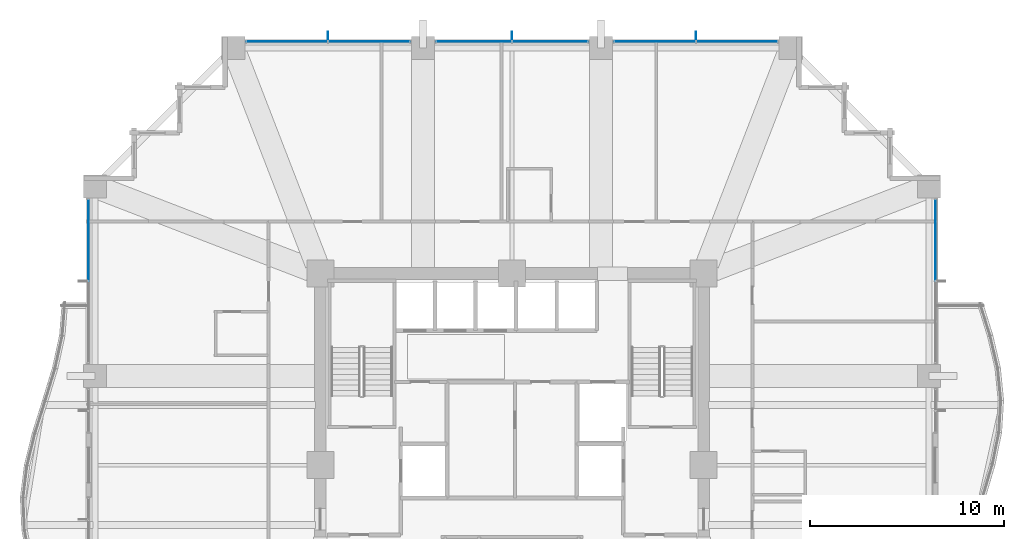
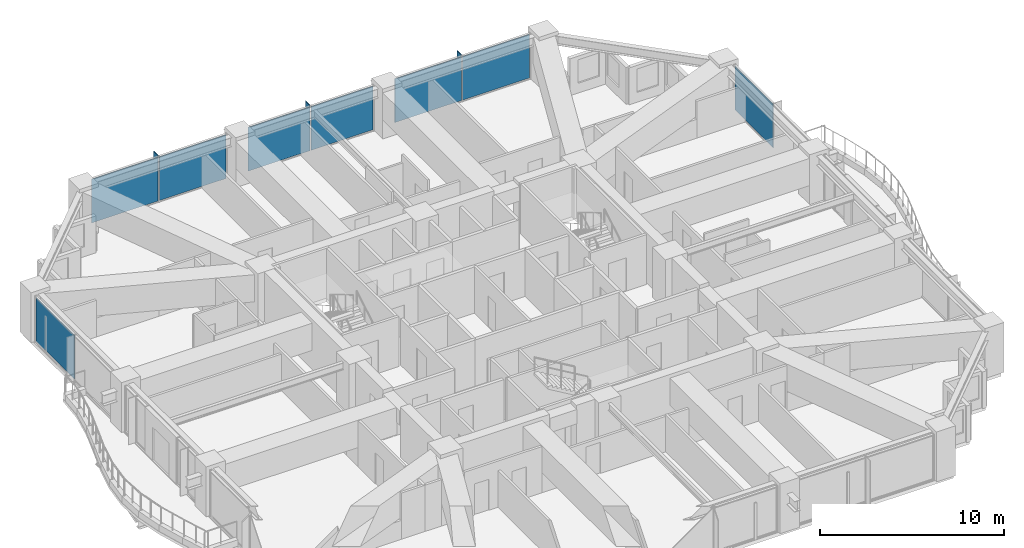
# One storey, part 32 of 39: 11 plates, 5 elements without a shape of their own.
"""IFC4 building model written with IfcOpenShell, lengths in metres."""

from ifc_helpers import new_model, si_unit, direction, frame, origin, origin_2d, place, context, subcontext, project, spatial, rectangle, extrude, material, layer, layer_set, type_object, element, aggregate, save


model = new_model("IFC4")

# Units and contexts
model_context = context("Model", 3, precision=1e-05, world=origin(), true_north=direction((0.0, 1.0)))
body_context = subcontext(model_context, "Body", "Model", "MODEL_VIEW")
ifc_project = project(units=[si_unit("LENGTHUNIT", "METRE"), si_unit("AREAUNIT", "SQUARE_METRE"), si_unit("VOLUMEUNIT", "CUBIC_METRE"), si_unit("PLANEANGLEUNIT", "RADIAN"), si_unit("MASSUNIT", "GRAM", prefix="KILO")], contexts=[model_context])

# Site, building, storey
site_placement = place(None, origin())
site = spatial("IfcSite", under=ifc_project, at=site_placement, CompositionType="ELEMENT")
building_placement = place(site_placement, origin())
building = spatial("IfcBuilding", under=site, at=building_placement, Name="Kolvaren Belvedere", CompositionType="ELEMENT")
storey_placement = place(building_placement, frame((0.0, 0.0, 40.300048828125)))
storey = spatial("IfcBuildingStorey", under=building, at=storey_placement, Name="L11", CompositionType="ELEMENT", Elevation=40.300048828125)

# Curtain wall, plate
ifc_material_1 = material(Name="Anodised pale-metal aluminium AA 6063-T6", Category="aluminium")
curtain_wall_type = type_object("IfcCurtainWallType", Name="CW-Z1-LOW", PredefinedType="NOTDEFINED", material=ifc_material_1)
curtain_wall_1_placement = place(storey_placement, origin())
curtain_wall_1 = element("IfcCurtainWall", 1, at=curtain_wall_1_placement, inside=storey, type_object=curtain_wall_type, Name="L11 Unitised Curtain Wall FCW-L11-E1-B1", PredefinedType="NOTDEFINED")
ifc_material_2 = material(Name="Low-iron triple insulated glass", Category="glass")
ifc_layer_1 = layer(ifc_material_2, 0.028076171875)
ifc_layer_set_1 = layer_set([ifc_layer_1], Name="Low-iron triple insulated glass")
plate_type_1 = type_object("IfcPlateType", Name="CW-PNL-VIS28", PredefinedType="CURTAIN_PANEL", material=ifc_layer_set_1)
plate_1_placement = place(storey_placement, frame((21.8798828125, 11.62255859375, 0.080078125), z_axis=(0.0, 0.0, 1.0), x_axis=(0.0, -1.0, 0.0)))
plate_1 = element("IfcPlate", 2, at=plate_1_placement, type_object=plate_type_1, Name="FCW-L11-E1-B1 Vision Glazing Panel 1", PredefinedType="CURTAIN_PANEL", context=body_context, shape_type="SweptSolid", body=[
    extrude(rectangle(XDim=4.1650390625, YDim=0.028076171875, at=origin_2d()), origin(), (0.0, 0.0, 1.0), 2.89990234375),
])
aggregate(curtain_wall_1, [plate_1])

# Curtain wall, plates
curtain_wall_2_placement = place(storey_placement, origin())
curtain_wall_2 = element("IfcCurtainWall", 3, at=curtain_wall_2_placement, inside=storey, type_object=curtain_wall_type, Name="L11 Unitised Curtain Wall FCW-L11-N-B1", PredefinedType="NOTDEFINED")
plate_2_placement = place(storey_placement, frame((-11.62255859375, 21.8798828125, 0.080078125), z_axis=(0.0, 0.0, 1.0), x_axis=(1.0, 0.0, 0.0)))
plate_2 = element("IfcPlate", 4, at=plate_2_placement, type_object=plate_type_1, Name="FCW-L11-N-B1 Vision Glazing Panel 1", PredefinedType="CURTAIN_PANEL", context=body_context, shape_type="SweptSolid", body=[
    extrude(rectangle(XDim=4.1650390625, YDim=0.028076171875, at=origin_2d()), origin(), (0.0, 0.0, 1.0), 2.89990234375),
])
plate_3_placement = place(storey_placement, frame((-7.37744140625, 21.8798828125, 0.080078125), z_axis=(0.0, 0.0, 1.0), x_axis=(1.0, 0.0, 0.0)))
plate_3 = element("IfcPlate", 5, at=plate_3_placement, type_object=plate_type_1, Name="FCW-L11-N-B1 Vision Glazing Panel 2", PredefinedType="CURTAIN_PANEL", context=body_context, shape_type="SweptSolid", body=[
    extrude(rectangle(XDim=4.1650390625, YDim=0.028076171875, at=origin_2d()), origin(), (0.0, 0.0, 1.0), 2.89990234375),
])
aggregate(curtain_wall_2, [plate_2, plate_3])

curtain_wall_3_placement = place(storey_placement, origin())
curtain_wall_3 = element("IfcCurtainWall", 6, at=curtain_wall_3_placement, inside=storey, type_object=curtain_wall_type, Name="L11 Unitised Curtain Wall FCW-L11-N-B2", PredefinedType="NOTDEFINED")
plate_4_placement = place(storey_placement, frame((-1.972412109375, 21.8798828125, 0.080078125), z_axis=(0.0, 0.0, 1.0), x_axis=(1.0, 0.0, 0.0)))
plate_4 = element("IfcPlate", 7, at=plate_4_placement, type_object=plate_type_1, Name="FCW-L11-N-B2 Vision Glazing Panel 1", PredefinedType="CURTAIN_PANEL", context=body_context, shape_type="SweptSolid", body=[
    extrude(rectangle(XDim=3.864990234375, YDim=0.028076171875, at=origin_2d()), origin(), (0.0, 0.0, 1.0), 2.89990234375),
])
plate_5_placement = place(storey_placement, frame((1.972412109375, 21.8798828125, 0.080078125), z_axis=(0.0, 0.0, 1.0), x_axis=(1.0, 0.0, 0.0)))
plate_5 = element("IfcPlate", 8, at=plate_5_placement, type_object=plate_type_1, Name="FCW-L11-N-B2 Vision Glazing Panel 2", PredefinedType="CURTAIN_PANEL", context=body_context, shape_type="SweptSolid", body=[
    extrude(rectangle(XDim=3.864990234375, YDim=0.028076171875, at=origin_2d()), origin(), (0.0, 0.0, 1.0), 2.89990234375),
])
aggregate(curtain_wall_3, [plate_4, plate_5])

curtain_wall_4_placement = place(storey_placement, origin())
curtain_wall_4 = element("IfcCurtainWall", 9, at=curtain_wall_4_placement, inside=storey, type_object=curtain_wall_type, Name="L11 Unitised Curtain Wall FCW-L11-N-B3", PredefinedType="NOTDEFINED")
plate_6_placement = place(storey_placement, frame((7.37744140625, 21.8798828125, 0.080078125), z_axis=(0.0, 0.0, 1.0), x_axis=(1.0, 0.0, 0.0)))
plate_6 = element("IfcPlate", 10, at=plate_6_placement, type_object=plate_type_1, Name="FCW-L11-N-B3 Vision Glazing Panel 1", PredefinedType="CURTAIN_PANEL", context=body_context, shape_type="SweptSolid", body=[
    extrude(rectangle(XDim=4.1650390625, YDim=0.028076171875, at=origin_2d()), origin(), (0.0, 0.0, 1.0), 2.89990234375),
])
plate_7_placement = place(storey_placement, frame((11.62255859375, 21.8798828125, 0.080078125), z_axis=(0.0, 0.0, 1.0), x_axis=(1.0, 0.0, 0.0)))
plate_7 = element("IfcPlate", 11, at=plate_7_placement, type_object=plate_type_1, Name="FCW-L11-N-B3 Vision Glazing Panel 2", PredefinedType="CURTAIN_PANEL", context=body_context, shape_type="SweptSolid", body=[
    extrude(rectangle(XDim=4.1650390625, YDim=0.028076171875, at=origin_2d()), origin(), (0.0, 0.0, 1.0), 2.89990234375),
])
aggregate(curtain_wall_4, [plate_6, plate_7])

# Curtain wall, plate
curtain_wall_5_placement = place(storey_placement, origin())
curtain_wall_5 = element("IfcCurtainWall", 12, at=curtain_wall_5_placement, inside=storey, type_object=curtain_wall_type, Name="L11 Unitised Curtain Wall FCW-L11-W2-B2", PredefinedType="NOTDEFINED")
plate_8_placement = place(storey_placement, frame((-21.8798828125, 11.62255859375, 0.080078125), z_axis=(0.0, 0.0, 1.0), x_axis=(0.0, 1.0, 0.0)))
plate_8 = element("IfcPlate", 13, at=plate_8_placement, type_object=plate_type_1, Name="FCW-L11-W2-B2 Vision Glazing Panel 2", PredefinedType="CURTAIN_PANEL", context=body_context, shape_type="SweptSolid", body=[
    extrude(rectangle(XDim=4.1650390625, YDim=0.028076171875, at=origin_2d()), origin(), (0.0, 0.0, 1.0), 2.89990234375),
])
aggregate(curtain_wall_5, [plate_8])

# Plates
ifc_material_3 = material(Name="Anodised pale-metal aluminium AA 6063-T6", Category="aluminium")
ifc_layer_2 = layer(ifc_material_3, 0.0380859375)
ifc_layer_set_2 = layer_set([ifc_layer_2], Name="Anodised pale-metal aluminium AA 6063-T6")
plate_type_2 = type_object("IfcPlateType", Name="FIN-VERT-450", PredefinedType="USERDEFINED", material=ifc_layer_set_2)
for number, where, z_axis, x_axis, name in (
    (14, (-9.5, 22.1650390625, 0.0), (0.0, 0.0, 1.0), (0.0, 1.0, 0.0), "L11 Pale-Metal Vertical Shading Fin FCW-L11-N-B1-1"),
    (15, (0.0, 22.1650390625, 0.0), (0.0, 0.0, 1.0), (0.0, 1.0, 0.0), "L11 Pale-Metal Vertical Shading Fin FCW-L11-N-B2-1"),
    (16, (9.5, 22.1650390625, 0.0), (0.0, 0.0, 1.0), (0.0, 1.0, 0.0), "L11 Pale-Metal Vertical Shading Fin FCW-L11-N-B3-1"),
):
    element("IfcPlate", number, at=place(storey_placement, frame(where, z_axis=z_axis, x_axis=x_axis)), inside=storey, type_object=plate_type_2, Name=name, ObjectType="VERTICAL FIN", PredefinedType="USERDEFINED", context=body_context, shape_type="SweptSolid", body=[
        extrude(rectangle(XDim=0.449951171875, YDim=0.0380859375, at=origin_2d()), origin(), (0.0, 0.0, 1.0), 3.06005859375),
    ])

save(model, "model.ifc")
